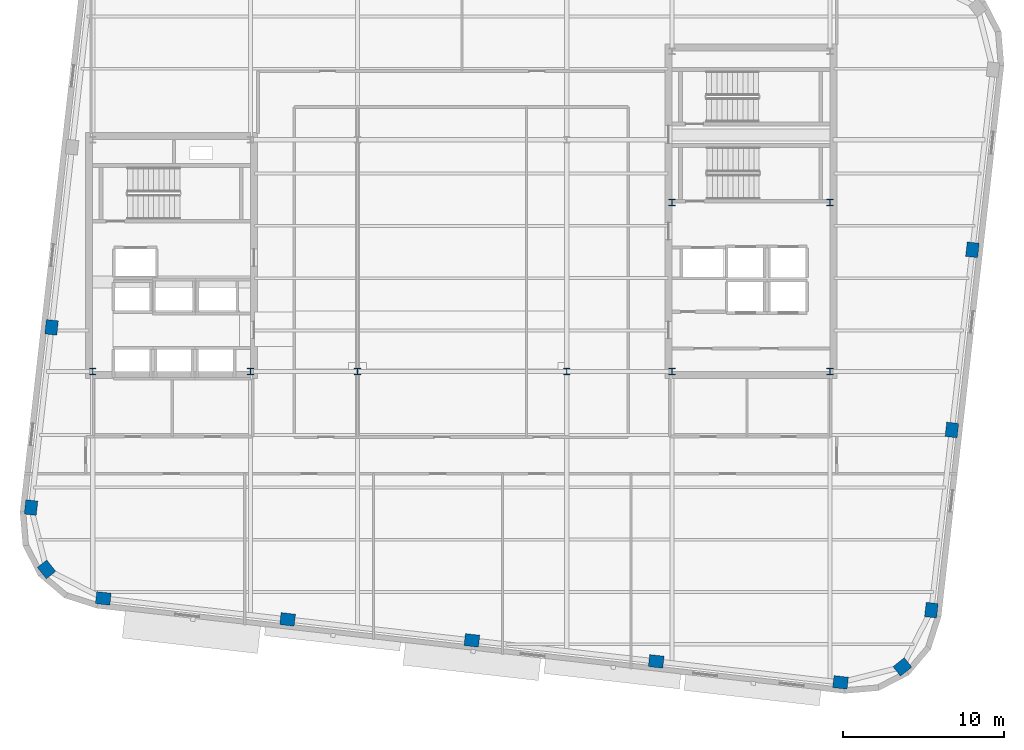
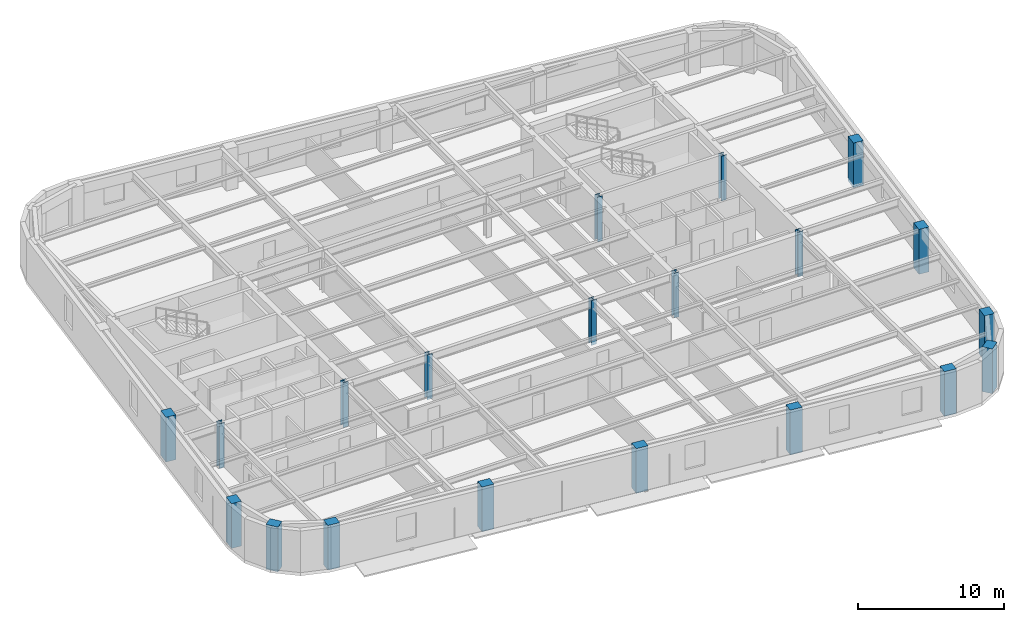
# One storey, part 1 of 12: 20 columns.
"""IFC4 building model written with IfcOpenShell, lengths in metres."""

from ifc_helpers import new_model, si_unit, direction, frame, origin, origin_2d, place, context, subcontext, project, spatial, rectangle, i_section, extrude, material, material_profile, profile_set, type_object, element, save


model = new_model("IFC4")

# Units and contexts
model_context = context("Model", 3, precision=1e-05, world=origin(), true_north=direction((0.0, 1.0)))
body_context = subcontext(model_context, "Body", "Model", "MODEL_VIEW")
ifc_project = project(units=[si_unit("LENGTHUNIT", "METRE"), si_unit("AREAUNIT", "SQUARE_METRE"), si_unit("VOLUMEUNIT", "CUBIC_METRE"), si_unit("PLANEANGLEUNIT", "RADIAN"), si_unit("MASSUNIT", "GRAM", prefix="KILO")], contexts=[model_context])

# Site, building, storey
site_placement = place(None, origin())
site = spatial("IfcSite", under=ifc_project, at=site_placement, CompositionType="ELEMENT")
building_placement = place(site_placement, origin())
building = spatial("IfcBuilding", under=site, at=building_placement, Name="Kolvaren Arena Tower", CompositionType="ELEMENT")
storey_placement = place(building_placement, frame((0.0, 0.0, 220.949951171875)))
storey = spatial("IfcBuildingStorey", under=building, at=storey_placement, Name="L53", CompositionType="ELEMENT", Elevation=220.949951171875)

# Columns
ifc_material_1 = material(Name="Precast concrete C55/67", Category="concrete")
ifc_material_profile_1 = material_profile(ifc_material_1, rectangle(XDim=0.89990234375, YDim=0.75, at=origin_2d()), Name="RC-900x750")
ifc_profile_set_1 = profile_set([ifc_material_profile_1], Name="Precast concrete C55/67")
column_type_1 = type_object("IfcColumnType", Name="EXCOL-Z4", PredefinedType="COLUMN", material=ifc_profile_set_1)
for number, where, z_axis, x_axis, name in (
    (1, (15.207763671875, 5.350830078125, -0.27001953125), (0.0, 0.0, 1.0), (0.993571855677, -0.113203213768, 0.0), "Exoskeleton Perimeter Column 01 (L53)"),
    (2, (26.65869140625, 4.046142578125, -0.27001953125), (0.0, 0.0, 1.0), (0.993571855677, -0.113203213768, 0.0), "Exoskeleton Perimeter Column 02 (L53)"),
    (3, (38.109619140625, 2.741455078125, -0.27001953125), (0.0, 0.0, 1.0), (0.993571855677, -0.113203213768, 0.0), "Exoskeleton Perimeter Column 03 (L53)"),
    (4, (49.560302734375, 1.436767578125, -0.27001953125), (0.0, 0.0, 1.0), (0.993571855677, -0.113203213768, 0.0), "Exoskeleton Perimeter Column 04 (L53)"),
    (5, (61.011474609375, 0.132080078125, -0.27001953125), (0.0, 0.0, 1.0), (0.993571855677, -0.113203213768, 0.0), "Exoskeleton Perimeter Column 05 (L53)"),
    (6, (64.853759765625, 1.094482421875, -0.27001953125), (0.0, 0.0, 1.0), (0.782608156852, 0.622514636638, 0.0), "Exoskeleton Perimeter Column 06 (L53)"),
    (7, (66.656005859375, 4.6220703125, -0.27001953125), (0.0, 0.0, 1.0), (0.113203213768, 0.993571855677, 0.0), "Exoskeleton Perimeter Column 07 (L53)"),
    (8, (67.931396484375, 15.816162109375, -0.27001953125), (0.0, 0.0, 1.0), (0.113203213768, 0.993571855677, 0.0), "Exoskeleton Perimeter Column 08 (L53)"),
    (9, (69.206787109375, 27.010498046875, -0.27001953125), (0.0, 0.0, 1.0), (0.113203213768, 0.993571855677, 0.0), "Exoskeleton Perimeter Column 09 (L53)"),
    (10, (11.9931640625, 22.189453125, -0.27001953125), (0.0, 0.0, 1.0), (0.113203213768, 0.993571855677, 0.0), "Exoskeleton Perimeter Column 20 (L53)"),
    (11, (10.7177734375, 10.995361328125, -0.27001953125), (0.0, 0.0, 1.0), (0.113203213768, 0.993571855677, 0.0), "Exoskeleton Perimeter Column 21 (L53)"),
    (12, (11.680419921875, 7.15283203125, -0.27001953125), (0.0, 0.0, 1.0), (-0.622514636638, 0.782608156852, 0.0), "Exoskeleton Perimeter Column 22 (L53)"),
):
    element("IfcColumn", number, at=place(storey_placement, frame(where, z_axis=z_axis, x_axis=x_axis)), inside=storey, type_object=column_type_1, Name=name, PredefinedType="COLUMN", context=body_context, shape_type="SweptSolid", body=[
        extrude(rectangle(XDim=0.89990234375, YDim=0.75, at=origin_2d()), origin(), (0.0, 0.0, 1.0), 3.75),
    ])
ifc_material_2 = material(Name="Steel ASTM A913 Grade 65", Category="steel")
ifc_material_profile_2 = material_profile(ifc_material_2, i_section(OverallWidth=0.39892578125, OverallDepth=0.39306640625, WebThickness=0.022705078125, FlangeThickness=0.03662109375, FilletRadius=0.02001953125, at=origin_2d()), Name="W360x287")
ifc_profile_set_2 = profile_set([ifc_material_profile_2], Name="Steel ASTM A913 Grade 65")
column_type_2 = type_object("IfcColumnType", Name="SCOL-Z4", PredefinedType="COLUMN", material=ifc_profile_set_2)
for number, where, z_axis, x_axis, name in (
    (13, (14.550048828125, 19.449951171875, -0.27001953125), (0.0, 0.0, 1.0), (1.0, 0.0, 0.0), "Core Boundary Column WC-SW (L53)"),
    (14, (24.35009765625, 19.449951171875, -0.27001953125), (0.0, 0.0, 1.0), (1.0, 0.0, 0.0), "Core Boundary Column WC-SE (L53)"),
    (15, (50.550048828125, 19.449951171875, -0.27001953125), (0.0, 0.0, 1.0), (1.0, 0.0, 0.0), "Core Boundary Column EC-SW (L53)"),
    (16, (60.35009765625, 19.449951171875, -0.27001953125), (0.0, 0.0, 1.0), (1.0, 0.0, 0.0), "Core Boundary Column EC-SE (L53)"),
    (17, (50.550048828125, 29.949951171875, -0.27001953125), (0.0, 0.0, 1.0), (1.0, 0.0, 0.0), "Core Boundary Column EC-MW (L53)"),
    (18, (60.35009765625, 29.949951171875, -0.27001953125), (0.0, 0.0, 1.0), (1.0, 0.0, 0.0), "Core Boundary Column EC-ME (L53)"),
    (19, (31.0, 19.449951171875, -0.27001953125), (0.0, 0.0, 1.0), (1.0, 0.0, 0.0), "Interior Gravity Column TC-SW (L53)"),
    (20, (44.0, 19.449951171875, -0.27001953125), (0.0, 0.0, 1.0), (1.0, 0.0, 0.0), "Interior Gravity Column TC-SE (L53)"),
):
    element("IfcColumn", number, at=place(storey_placement, frame(where, z_axis=z_axis, x_axis=x_axis)), inside=storey, type_object=column_type_2, Name=name, PredefinedType="COLUMN", context=body_context, shape_type="SweptSolid", body=[
        extrude(i_section(OverallWidth=0.39892578125, OverallDepth=0.39306640625, WebThickness=0.022705078125, FlangeThickness=0.03662109375, FilletRadius=0.02001953125, at=origin_2d()), origin(), (0.0, 0.0, 1.0), 3.75),
    ])

save(model, "model.ifc")
